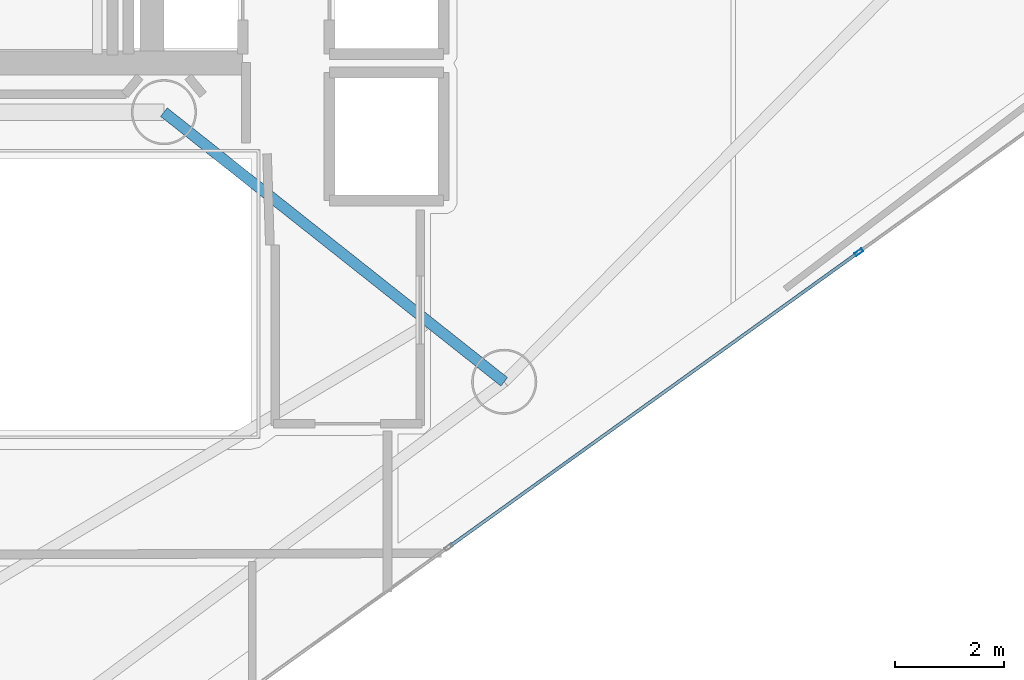
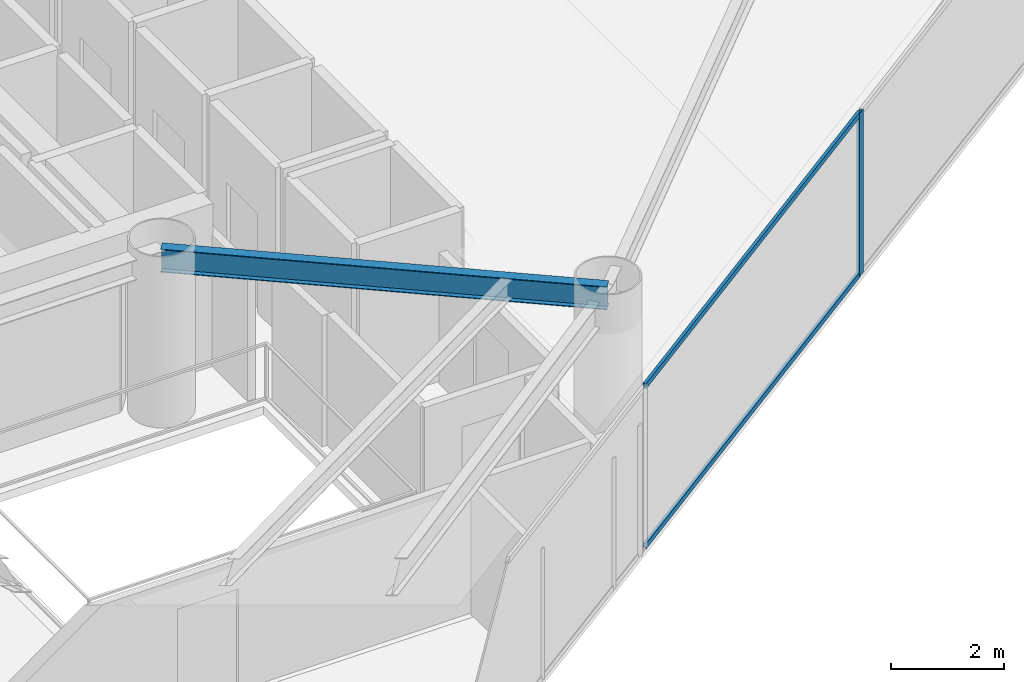
# One storey, part 7 of 22: 3 members, 1 beam, 1 element without a shape of its own.
"""IFC4 building model written with IfcOpenShell, lengths in metres."""

from ifc_helpers import new_model, si_unit, direction, frame, origin, origin_2d, place, context, subcontext, project, spatial, hollow_rectangle, i_section, extrude, material, layer, layer_set, material_profile, profile_set, type_object, element, aggregate, save


model = new_model("IFC4")

# Units and contexts
model_context = context("Model", 3, precision=1e-05, world=origin(), true_north=direction((0.0, 1.0)))
body_context = subcontext(model_context, "Body", "Model", "MODEL_VIEW")
ifc_project = project(units=[si_unit("LENGTHUNIT", "METRE"), si_unit("AREAUNIT", "SQUARE_METRE"), si_unit("VOLUMEUNIT", "CUBIC_METRE"), si_unit("PLANEANGLEUNIT", "RADIAN"), si_unit("MASSUNIT", "GRAM", prefix="KILO")], contexts=[model_context])

# Site, building, storey
site_placement = place(None, origin())
site = spatial("IfcSite", under=ifc_project, at=site_placement, CompositionType="ELEMENT")
building_placement = place(site_placement, origin())
building = spatial("IfcBuilding", under=site, at=building_placement, Name="Qianvela Tower", CompositionType="ELEMENT")
storey_placement = place(building_placement, frame((0.0, 0.0, 200.300048828125)))
storey = spatial("IfcBuildingStorey", under=building, at=storey_placement, Name="L51", CompositionType="ELEMENT", Elevation=200.300048828125)

# Beam
ifc_material_1 = material(Name="Steel Q355B", Category="steel")
ifc_material_profile_1 = material_profile(ifc_material_1, i_section(OverallWidth=0.199951171875, OverallDepth=0.5, WebThickness=0.010009765625, FlangeThickness=0.01611328125, at=origin_2d()), Name="HN500x200x10x16")
ifc_profile_set_1 = profile_set([ifc_material_profile_1], Name="Steel Q355B")
beam_type = type_object("IfcBeamType", Name="BM-HN500-GIRD", PredefinedType="BEAM", material=ifc_profile_set_1)
beam_placement = place(storey_placement, frame((38.39990234375, 23.85009765625, 3.26806640625), z_axis=(0.783705217119, -0.621132942824, 0.0), x_axis=(0.621132942824, 0.783705217119, 0.0)))
element("IfcBeam", 1, at=beam_placement, inside=storey, type_object=beam_type, Name="L51 Radial Primary Floor Girder 6", PredefinedType="BEAM", context=body_context, shape_type="SweptSolid", body=[
    extrude(i_section(OverallWidth=0.199951171875, OverallDepth=0.5, WebThickness=0.010009765625, FlangeThickness=0.01611328125, at=origin_2d()), origin(), (0.0, 0.0, 1.0), 7.996826171875),
])

# Curtain wall, members
ifc_material_2 = material(Name="Anodised Architectural Aluminium and Low-E Glass", Category="aluminium")
ifc_layer = layer(ifc_material_2, 0.159912109375)
ifc_layer_set = layer_set([ifc_layer], Name="Anodised Architectural Aluminium and Low-E Glass")
curtain_wall_type = type_object("IfcCurtainWallType", Name="CW-COLIV-Z56", PredefinedType="USERDEFINED", material=ifc_layer_set)
curtain_wall_placement = place(storey_placement, origin())
curtain_wall = element("IfcCurtainWall", 2, at=curtain_wall_placement, inside=storey, type_object=curtain_wall_type, Name="L51 CW-COLIV-Z56 Curtain Wall 06B", ObjectType="CURTAIN_WALL_SYSTEM", PredefinedType="USERDEFINED")
ifc_material_3 = material(Name="Anodised Architectural Aluminium 6063-T6", Category="aluminium")
ifc_material_profile_2 = material_profile(ifc_material_3, hollow_rectangle(XDim=0.06494140625, YDim=0.159912109375, WallThickness=0.0048828125, at=origin_2d()), Name="ALU-MULL-65x160")
ifc_profile_set_2 = profile_set([ifc_material_profile_2], Name="Anodised Architectural Aluminium 6063-T6")
member_type_1 = type_object("IfcMemberType", Name="CW-COLIV-Z56-MULL", PredefinedType="MULLION", material=ifc_profile_set_2)
member_1_placement = place(storey_placement, frame((51.199462890625, 21.27099609375, 0.0), z_axis=(0.0, 0.0, 1.0), x_axis=(-0.583724053357, 0.811952110369, 0.0)))
member_1 = element("IfcMember", 3, at=member_1_placement, type_object=member_type_1, Name="CW-5 mullion 3", PredefinedType="MULLION", context=body_context, shape_type="SweptSolid", body=[
    extrude(hollow_rectangle(XDim=0.06494140625, YDim=0.159912109375, WallThickness=0.0048828125, at=origin_2d()), origin(), (0.0, 0.0, 1.0), 3.52001953125),
])
ifc_material_4 = material(Name="Anodised Architectural Aluminium 6063-T6", Category="aluminium")
ifc_material_profile_3 = material_profile(ifc_material_4, hollow_rectangle(XDim=0.06005859375, YDim=0.114990234375, WallThickness=0.00390625, at=origin_2d()), Name="ALU-TRAN-60x115")
ifc_profile_set_3 = profile_set([ifc_material_profile_3], Name="Anodised Architectural Aluminium 6063-T6")
member_type_2 = type_object("IfcMemberType", Name="CW-COLIV-Z56-TRAN", PredefinedType="USERDEFINED", material=ifc_profile_set_3)
member_2_placement = place(storey_placement, frame((43.672607421875, 15.859619140625, 0.030029296875), z_axis=(0.811945694262, 0.583732977969, 0.0), x_axis=(-0.583732977969, 0.811945694262, 0.0)))
member_2 = element("IfcMember", 4, at=member_2_placement, type_object=member_type_2, Name="CW-5 transom 2.1", ObjectType="TRANSOM", PredefinedType="USERDEFINED", context=body_context, shape_type="SweptSolid", body=[
    extrude(hollow_rectangle(XDim=0.06005859375, YDim=0.114990234375, WallThickness=0.00390625, at=origin_2d()), origin(), (0.0, 0.0, 1.0), 9.23779296875),
])
member_3_placement = place(storey_placement, frame((43.672607421875, 15.859619140625, 3.489990234375), z_axis=(0.811945694262, 0.583732977969, 0.0), x_axis=(-0.583732977969, 0.811945694262, 0.0)))
member_3 = element("IfcMember", 5, at=member_3_placement, type_object=member_type_2, Name="CW-5 transom 2.2", ObjectType="TRANSOM", PredefinedType="USERDEFINED", context=body_context, shape_type="SweptSolid", body=[
    extrude(hollow_rectangle(XDim=0.06005859375, YDim=0.114990234375, WallThickness=0.00390625, at=origin_2d()), origin(), (0.0, 0.0, 1.0), 9.23779296875),
])
aggregate(curtain_wall, [member_1, member_2, member_3])

save(model, "model.ifc")
